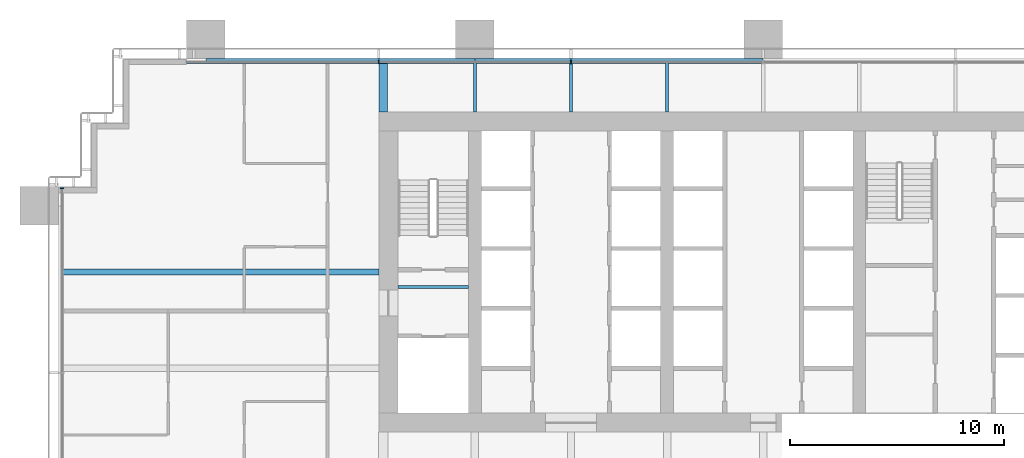
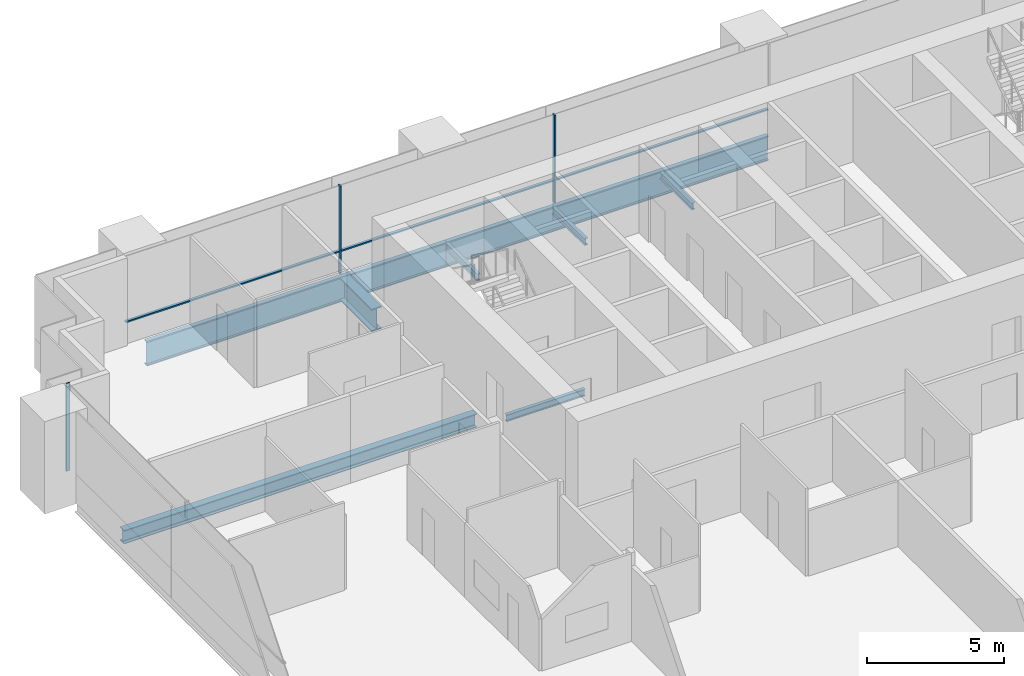
# One storey, part 7 of 20: 8 beams, 6 members, 2 elements without a shape of their own.
"""IFC4 building model written with IfcOpenShell, lengths in metres."""

from ifc_helpers import new_model, si_unit, direction, frame, origin, origin_2d, place, context, subcontext, project, spatial, rectangle, i_section, extrude, material, material_profile, profile_set, type_object, element, aggregate, save


model = new_model("IFC4")

# Units and contexts
model_context = context("Model", 3, precision=1e-05, world=origin(), true_north=direction((0.0, 1.0)))
body_context = subcontext(model_context, "Body", "Model", "MODEL_VIEW")
ifc_project = project(units=[si_unit("LENGTHUNIT", "METRE"), si_unit("AREAUNIT", "SQUARE_METRE"), si_unit("VOLUMEUNIT", "CUBIC_METRE"), si_unit("PLANEANGLEUNIT", "RADIAN"), si_unit("MASSUNIT", "GRAM", prefix="KILO")], contexts=[model_context])

# Site, building, storey
site_placement = place(None, origin())
site = spatial("IfcSite", under=ifc_project, at=site_placement, CompositionType="ELEMENT")
building_placement = place(site_placement, origin())
building = spatial("IfcBuilding", under=site, at=building_placement, Name="Rattan Terrace Tower", CompositionType="ELEMENT")
storey_placement = place(building_placement, frame((0.0, 0.0, 40.60009765625)))
storey = spatial("IfcBuildingStorey", under=building, at=storey_placement, Name="L08", CompositionType="ELEMENT", Elevation=40.60009765625)

# Curtain wall, members
ifc_material_1 = material(Name="Aluminium and glass", Category="aluminium")
curtain_wall_type = type_object("IfcCurtainWallType", Name="Facade Unitised Curtain Wall", PredefinedType="NOTDEFINED", material=ifc_material_1)
curtain_wall_1_placement = place(storey_placement, origin())
curtain_wall_1 = element("IfcCurtainWall", 1, at=curtain_wall_1_placement, inside=storey, type_object=curtain_wall_type, Name="Curtain wall L08-2", PredefinedType="NOTDEFINED")
ifc_material_2 = material(Name="Aluminium", Category="aluminium")
ifc_material_profile_1 = material_profile(ifc_material_2, rectangle(XDim=0.06005859375, YDim=0.159912109375, at=origin_2d()), Name="Aluminium 60x160")
ifc_profile_set_1 = profile_set([ifc_material_profile_1], Name="Aluminium")
member_type_1 = type_object("IfcMemberType", Name="Facade CW Mullion 60x160", PredefinedType="MULLION", material=ifc_profile_set_1)
member_1_placement = place(storey_placement, frame((-9.0, 9.830078125, 0.0), z_axis=(0.0, 0.0, 1.0), x_axis=(-1.0, 0.0, 0.0)))
member_1 = element("IfcMember", 2, at=member_1_placement, type_object=member_type_1, Name="Mullion cwl-L08-002.5", PredefinedType="MULLION", context=body_context, shape_type="SweptSolid", body=[
    extrude(rectangle(XDim=0.06005859375, YDim=0.159912109375, at=origin_2d()), origin(), (0.0, 0.0, 1.0), 3.89990234375),
])
member_2_placement = place(storey_placement, frame((-18.0, 9.830078125, 0.0), z_axis=(0.0, 0.0, 1.0), x_axis=(-1.0, 0.0, 0.0)))
member_2 = element("IfcMember", 3, at=member_2_placement, type_object=member_type_1, Name="Mullion cwl-L08-002.6", PredefinedType="MULLION", context=body_context, shape_type="SweptSolid", body=[
    extrude(rectangle(XDim=0.06005859375, YDim=0.159912109375, at=origin_2d()), origin(), (0.0, 0.0, 1.0), 3.89990234375),
])

# Curtain wall, member
curtain_wall_2_placement = place(storey_placement, origin())
curtain_wall_2 = element("IfcCurtainWall", 4, at=curtain_wall_2_placement, inside=storey, type_object=curtain_wall_type, Name="Curtain wall L08-3", PredefinedType="NOTDEFINED")
member_3_placement = place(storey_placement, frame((-32.830078125, 3.925048828125, 0.0), z_axis=(0.0, 0.0, 1.0), x_axis=(0.0, -1.0, 0.0)))
member_3 = element("IfcMember", 5, at=member_3_placement, type_object=member_type_1, Name="Mullion cwl-L08-003.1", PredefinedType="MULLION", context=body_context, shape_type="SweptSolid", body=[
    extrude(rectangle(XDim=0.06005859375, YDim=0.159912109375, at=origin_2d()), origin(), (0.0, 0.0, 1.0), 3.89990234375),
])
aggregate(curtain_wall_2, [member_3])

# Member
ifc_material_3 = material(Name="Aluminium", Category="aluminium")
ifc_material_profile_2 = material_profile(ifc_material_3, rectangle(XDim=0.1201171875, YDim=0.06005859375, at=origin_2d()), Name="Aluminium 120x60")
ifc_profile_set_2 = profile_set([ifc_material_profile_2], Name="Aluminium")
member_type_2 = type_object("IfcMemberType", Name="Facade CW Transom 120x60", PredefinedType="USERDEFINED", material=ifc_profile_set_2)
member_4_placement = place(storey_placement, frame((-0.030029296875, 9.830078125, 1.0), z_axis=(-1.0, 0.0, 0.0), x_axis=(0.0, -1.0, 0.0)))
member_4 = element("IfcMember", 6, at=member_4_placement, type_object=member_type_2, Name="Transom cwl-L08-002.4", ObjectType="TRANSOM", PredefinedType="USERDEFINED", context=body_context, shape_type="SweptSolid", body=[
    extrude(rectangle(XDim=0.1201171875, YDim=0.06005859375, at=origin_2d()), origin(), (0.0, 0.0, 1.0), 8.93994140625),
])

member_5_placement = place(storey_placement, frame((-9.030029296875, 9.830078125, 1.0), z_axis=(-1.0, 0.0, 0.0), x_axis=(0.0, -1.0, 0.0)))
member_5 = element("IfcMember", 7, at=member_5_placement, type_object=member_type_2, Name="Transom cwl-L08-002.5", ObjectType="TRANSOM", PredefinedType="USERDEFINED", context=body_context, shape_type="SweptSolid", body=[
    extrude(rectangle(XDim=0.1201171875, YDim=0.06005859375, at=origin_2d()), origin(), (0.0, 0.0, 1.0), 8.93994140625),
])

member_6_placement = place(storey_placement, frame((-18.030029296875, 9.830078125, 1.0), z_axis=(-1.0, 0.0, 0.0), x_axis=(0.0, -1.0, 0.0)))
member_6 = element("IfcMember", 8, at=member_6_placement, type_object=member_type_2, Name="Transom cwl-L08-002.6", ObjectType="TRANSOM", PredefinedType="USERDEFINED", context=body_context, shape_type="SweptSolid", body=[
    extrude(rectangle(XDim=0.1201171875, YDim=0.06005859375, at=origin_2d()), origin(), (0.0, 0.0, 1.0), 8.969970703125),
])

aggregate(curtain_wall_1, [member_1, member_2, member_4, member_5, member_6])

# Beams
ifc_material_4 = material(Name="Steel S460", Category="steel")
ifc_material_profile_3 = material_profile(ifc_material_4, i_section(OverallWidth=0.39990234375, OverallDepth=1.0, WebThickness=0.01806640625, FlangeThickness=0.044921875, at=origin_2d()), Name="PG 1000x400-18-45")
ifc_profile_set_3 = profile_set([ifc_material_profile_3], Name="Steel S460")
beam_type_1 = type_object("IfcBeamType", Name="Frame core girder PG 1000x400-18-45", PredefinedType="BEAM", material=ifc_profile_set_3)
beam_1_placement = place(storey_placement, frame((-17.800048828125, 7.5, -0.7001953125), z_axis=(0.0, 1.0, 0.0), x_axis=(-1.0, 0.0, 0.0)))
element("IfcBeam", 9, at=beam_1_placement, inside=storey, type_object=beam_type_1, Name="gdr-L08-015", PredefinedType="BEAM", context=body_context, shape_type="SweptSolid", body=[
    extrude(i_section(OverallWidth=0.39990234375, OverallDepth=1.0, WebThickness=0.01806640625, FlangeThickness=0.044921875, at=origin_2d()), origin(), (0.0, 0.0, 1.0), 2.320068359375),
])
ifc_material_5 = material(Name="Steel S460", Category="steel")
ifc_material_profile_4 = material_profile(ifc_material_5, i_section(OverallWidth=0.179931640625, OverallDepth=1.10009765625, WebThickness=0.01611328125, FlangeThickness=0.050048828125, at=origin_2d()), Name="PG 1100x180-16-50")
ifc_profile_set_4 = profile_set([ifc_material_profile_4], Name="Steel S460")
beam_type_2 = type_object("IfcBeamType", Name="Frame edge girder PG 1100x180-16-50", PredefinedType="SPANDREL", material=ifc_profile_set_4)
beam_2_placement = place(storey_placement, frame((-13.5, 9.909912109375, -0.75), z_axis=(-1.0, 0.0, 0.0), x_axis=(0.0, -1.0, 0.0)))
element("IfcBeam", 10, at=beam_2_placement, inside=storey, type_object=beam_type_2, Name="gdr-L08-009", PredefinedType="SPANDREL", context=body_context, shape_type="SweptSolid", body=[
    extrude(i_section(OverallWidth=0.179931640625, OverallDepth=1.10009765625, WebThickness=0.01611328125, FlangeThickness=0.050048828125, at=origin_2d()), origin(), (0.0, 0.0, 1.0), 12.60009765625),
])
beam_3_placement = place(storey_placement, frame((0.0, 9.909912109375, -0.75), z_axis=(-1.0, 0.0, 0.0), x_axis=(0.0, -1.0, 0.0)))
element("IfcBeam", 11, at=beam_3_placement, inside=storey, type_object=beam_type_2, Name="gdr-L08-010", PredefinedType="SPANDREL", context=body_context, shape_type="SweptSolid", body=[
    extrude(i_section(OverallWidth=0.179931640625, OverallDepth=1.10009765625, WebThickness=0.01611328125, FlangeThickness=0.050048828125, at=origin_2d()), origin(), (0.0, 0.0, 1.0), 13.5),
])
ifc_material_6 = material(Name="Steel S355", Category="steel")
ifc_material_profile_5 = material_profile(ifc_material_6, i_section(OverallWidth=0.300048828125, OverallDepth=0.60009765625, WebThickness=0.015380859375, FlangeThickness=0.030029296875, FilletRadius=0.027099609375, at=origin_2d()), Name="HE 600 B")
ifc_profile_set_5 = profile_set([ifc_material_profile_5], Name="Steel S355")
beam_type_3 = type_object("IfcBeamType", Name="Frame floor beam HE 600 B", PredefinedType="JOIST", material=ifc_profile_set_5)
beam_4_placement = place(storey_placement, frame((-32.820068359375, 0.0, -0.5), z_axis=(1.0, 0.0, 0.0), x_axis=(0.0, 1.0, 0.0)))
element("IfcBeam", 12, at=beam_4_placement, inside=storey, type_object=beam_type_3, Name="bm-L08-022", PredefinedType="JOIST", context=body_context, shape_type="SweptSolid", body=[
    extrude(i_section(OverallWidth=0.300048828125, OverallDepth=0.60009765625, WebThickness=0.015380859375, FlangeThickness=0.030029296875, FilletRadius=0.027099609375, at=origin_2d()), origin(), (0.0, 0.0, 1.0), 14.820068359375),
])
ifc_material_7 = material(Name="Steel S355", Category="steel")
ifc_material_profile_6 = material_profile(ifc_material_7, i_section(OverallWidth=0.14990234375, OverallDepth=0.300048828125, WebThickness=0.007080078125, FlangeThickness=0.0107421875, FilletRadius=0.014892578125, at=origin_2d()), Name="IPE 300")
ifc_profile_set_6 = profile_set([ifc_material_profile_6], Name="Steel S355")
beam_type_4 = type_object("IfcBeamType", Name="Frame floor beam IPE 300", PredefinedType="JOIST", material=ifc_profile_set_6)
beam_5_placement = place(storey_placement, frame((-17.10009765625, -0.695068359375, -0.35009765625), z_axis=(1.0, 0.0, 0.0), x_axis=(0.0, 1.0, 0.0)))
element("IfcBeam", 13, at=beam_5_placement, inside=storey, type_object=beam_type_4, Name="bm-L08-001", PredefinedType="JOIST", context=body_context, shape_type="SweptSolid", body=[
    extrude(i_section(OverallWidth=0.14990234375, OverallDepth=0.300048828125, WebThickness=0.007080078125, FlangeThickness=0.0107421875, FilletRadius=0.014892578125, at=origin_2d()), origin(), (0.0, 0.0, 1.0), 3.300048828125),
])
for number, where, z_axis, x_axis, name in (
    (14, (-13.5, 7.5, -0.35009765625), (0.0, 1.0, 0.0), (-1.0, 0.0, 0.0), "bm-L08-024"),
    (15, (-9.0, 7.5, -0.35009765625), (0.0, 1.0, 0.0), (-1.0, 0.0, 0.0), "bm-L08-025"),
    (16, (-4.5, 7.5, -0.35009765625), (0.0, 1.0, 0.0), (-1.0, 0.0, 0.0), "bm-L08-026"),
):
    element("IfcBeam", number, at=place(storey_placement, frame(where, z_axis=z_axis, x_axis=x_axis)), inside=storey, type_object=beam_type_4, Name=name, PredefinedType="JOIST", context=body_context, shape_type="SweptSolid", body=[
        extrude(i_section(OverallWidth=0.14990234375, OverallDepth=0.300048828125, WebThickness=0.007080078125, FlangeThickness=0.0107421875, FilletRadius=0.014892578125, at=origin_2d()), origin(), (0.0, 0.0, 1.0), 2.320068359375),
    ])

save(model, "model.ifc")
